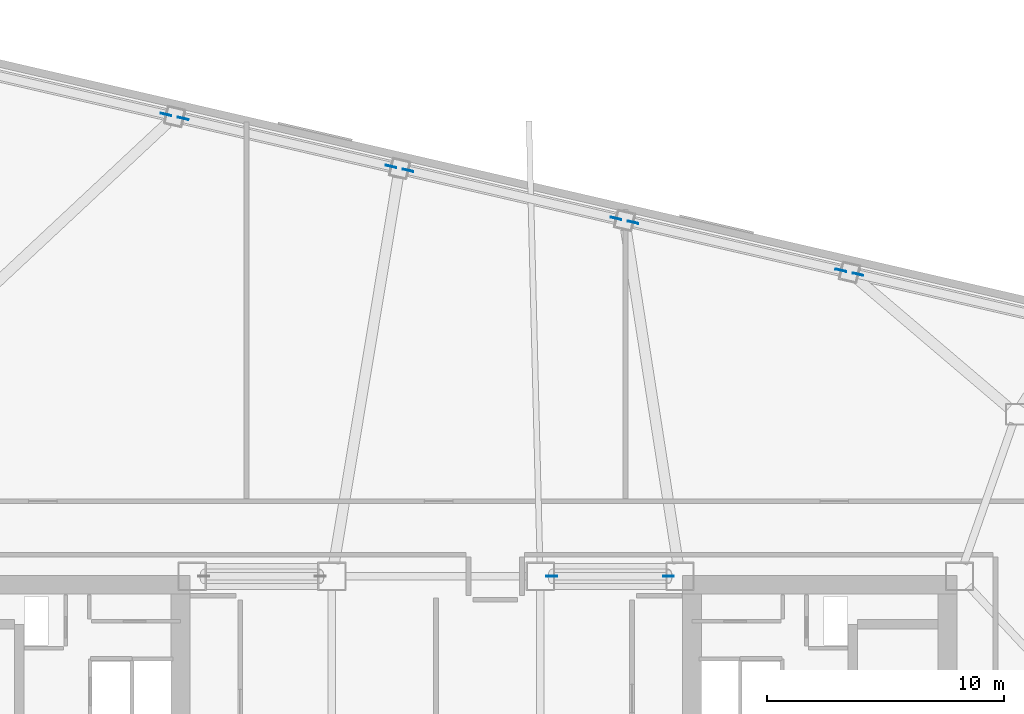
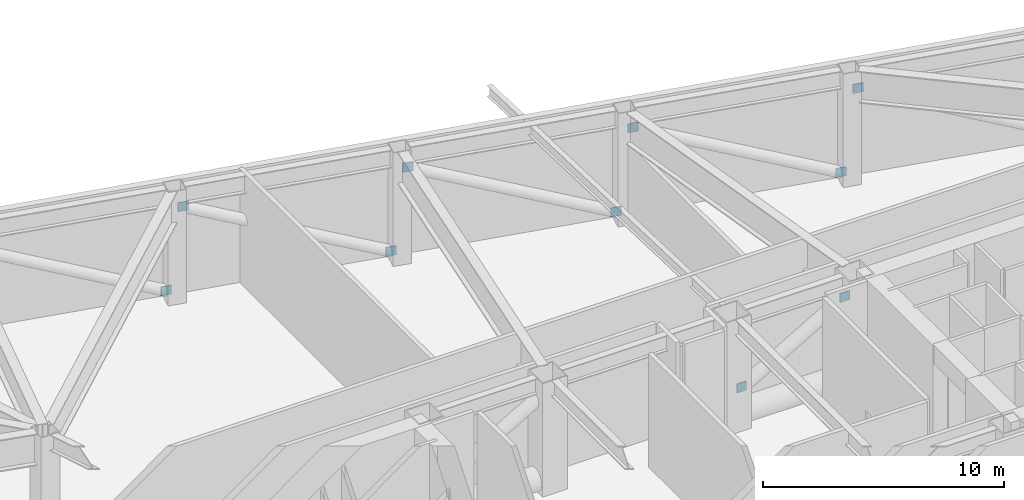
# One storey, part 12 of 15: 10 discrete accessories.
"""IFC4 building model written with IfcOpenShell, lengths in metres."""

from ifc_helpers import new_model, si_unit, direction, frame, origin, origin_2d, place, context, subcontext, project, spatial, rectangle, extrude, material, type_object, element, save


model = new_model("IFC4")

# Units and contexts
model_context = context("Model", 3, precision=1e-05, world=origin(), true_north=direction((0.0, 1.0)))
body_context = subcontext(model_context, "Body", "Model", "MODEL_VIEW")
ifc_project = project(units=[si_unit("LENGTHUNIT", "METRE"), si_unit("AREAUNIT", "SQUARE_METRE"), si_unit("VOLUMEUNIT", "CUBIC_METRE"), si_unit("PLANEANGLEUNIT", "RADIAN"), si_unit("MASSUNIT", "GRAM", prefix="KILO")], contexts=[model_context])

# Site, building, storey
site_placement = place(None, origin())
site = spatial("IfcSite", under=ifc_project, at=site_placement, CompositionType="ELEMENT")
building_placement = place(site_placement, origin())
building = spatial("IfcBuilding", under=site, at=building_placement, Name="Tavrogorsk Clinical Tower", CompositionType="ELEMENT")
storey_placement = place(building_placement, frame((0.0, 0.0, 33.39990234375)))
storey = spatial("IfcBuildingStorey", under=building, at=storey_placement, Name="L06", CompositionType="ELEMENT", Elevation=33.39990234375)

# Discrete accessories
ifc_material = material(Name="Structural steel S440", Category="steel")
discrete_accessory_type = type_object("IfcDiscreteAccessoryType", Name="GussetPlateBracket_25", PredefinedType="BRACKET", material=ifc_material)
for number, where, z_axis, x_axis, name in (
    (1, (17.815673828125, 19.1083984375, 4.39111328125), (0.0, 0.0, 1.0), (-0.974370064785, 0.224951054344, 0.0), "L06 Brace Gusset Plate EXOBELT-L06-15-B"),
    (2, (17.092041015625, 19.275390625, 0.289306640625), (0.0, 0.0, 1.0), (-0.974370064785, 0.224951054344, 0.0), "L06 Brace Gusset Plate EXOBELT-L06-16-A"),
    (3, (8.31689453125, 21.30126953125, 4.39111328125), (0.0, 0.0, 1.0), (-0.974370064785, 0.224951054344, 0.0), "L06 Brace Gusset Plate EXOBELT-L06-16-B"),
    (4, (7.593505859375, 21.46826171875, 0.289306640625), (0.0, 0.0, 1.0), (-0.974370064785, 0.224951054344, 0.0), "L06 Brace Gusset Plate EXOBELT-L06-17-A"),
    (5, (-1.181884765625, 23.494384765625, 4.39111328125), (0.0, 0.0, 1.0), (-0.974370064785, 0.224951054344, 0.0), "L06 Brace Gusset Plate EXOBELT-L06-17-B"),
    (6, (-1.9052734375, 23.661376953125, 0.289306640625), (0.0, 0.0, 1.0), (-0.974370064785, 0.224951054344, 0.0), "L06 Brace Gusset Plate EXOBELT-L06-18-A"),
    (7, (-10.680419921875, 25.687255859375, 4.39111328125), (0.0, 0.0, 1.0), (-0.974370064785, 0.224951054344, 0.0), "L06 Brace Gusset Plate EXOBELT-L06-18-B"),
    (8, (-11.404052734375, 25.854248046875, 0.289306640625), (0.0, 0.0, 1.0), (-0.974370064785, 0.224951054344, 0.0), "L06 Brace Gusset Plate EXOBELT-L06-19-A"),
    (9, (4.884765625, 6.35009765625, 1.5302734375), (0.0, 0.0, 1.0), (1.0, 0.0, 0.0), "L06 Brace Gusset Plate ORDG-L06-04-A"),
    (10, (9.815185546875, 6.35009765625, 4.3798828125), (0.0, 0.0, 1.0), (1.0, 0.0, 0.0), "L06 Brace Gusset Plate ORDG-L06-04-B"),
):
    element("IfcDiscreteAccessory", number, at=place(storey_placement, frame(where, z_axis=z_axis, x_axis=x_axis)), inside=storey, type_object=discrete_accessory_type, Name=name, PredefinedType="BRACKET", context=body_context, shape_type="SweptSolid", body=[
        extrude(rectangle(XDim=0.4599609375, YDim=0.0400390625, at=origin_2d()), origin(), (0.0, 0.0, 1.0), 0.4599609375),
    ])

save(model, "model.ifc")
